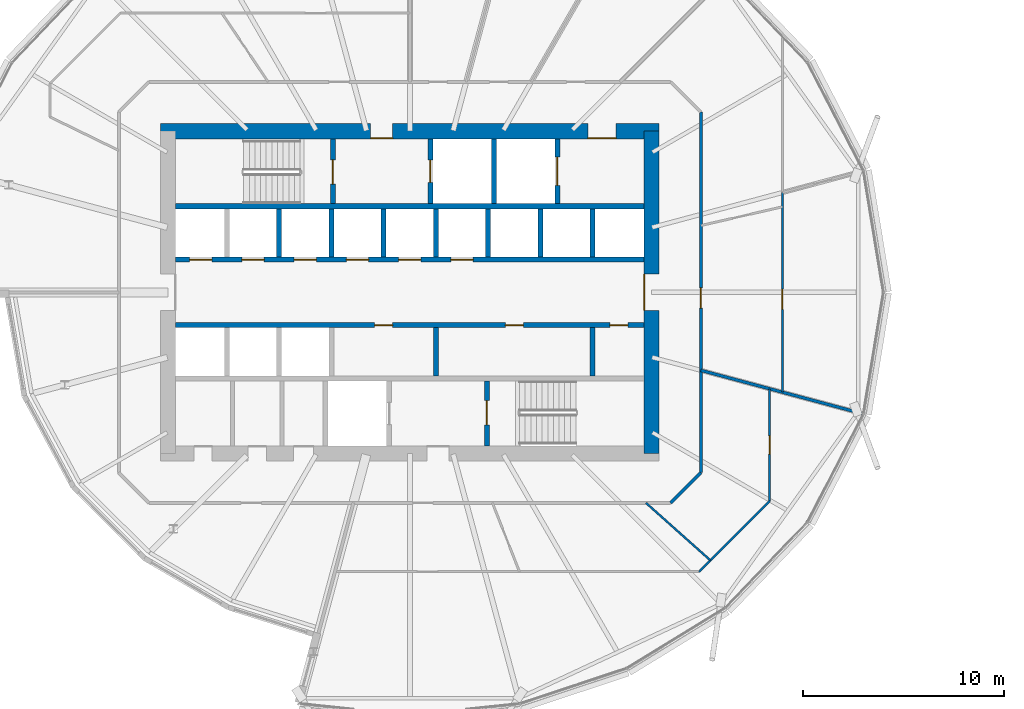
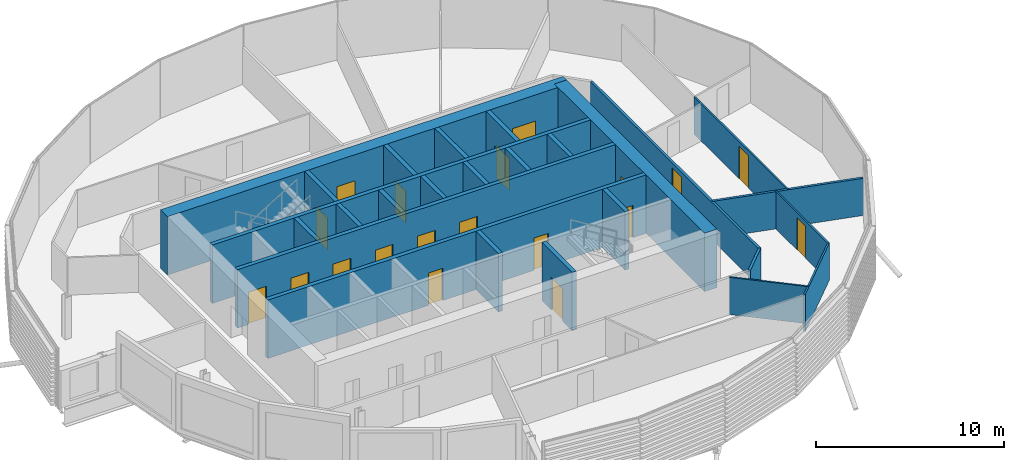
# One storey, part 21 of 39: 26 walls, 19 doors, 19 openings.
"""IFC4 building model written with IfcOpenShell, lengths in metres."""

from ifc_helpers import new_model, si_unit, direction, frame, frame_2d, origin, place, context, subcontext, project, spatial, rectangle, extrude, material, layer, layer_set, type_object, element, fill, save


model = new_model("IFC4")

# Units and contexts
model_context = context("Model", 3, precision=1e-05, world=origin(), true_north=direction((0.0, 1.0)))
body_context = subcontext(model_context, "Body", "Model", "MODEL_VIEW")
ifc_project = project(units=[si_unit("LENGTHUNIT", "METRE"), si_unit("AREAUNIT", "SQUARE_METRE"), si_unit("VOLUMEUNIT", "CUBIC_METRE"), si_unit("PLANEANGLEUNIT", "RADIAN"), si_unit("MASSUNIT", "GRAM", prefix="KILO")], contexts=[model_context])

# Site, building, storey
site_placement = place(None, origin())
site = spatial("IfcSite", under=ifc_project, at=site_placement, CompositionType="ELEMENT")
building_placement = place(site_placement, origin())
building = spatial("IfcBuilding", under=site, at=building_placement, Name="Rimbun Link Towers", CompositionType="ELEMENT")
storey_placement = place(building_placement, frame((0.0, 0.0, 100.60009765625)))
storey = spatial("IfcBuildingStorey", under=building, at=storey_placement, Name="L24", CompositionType="ELEMENT", Elevation=100.60009765625)

# Wall, openings, doors
ifc_material_1 = material(Name="Concrete C60/75", Category="concrete")
ifc_layer_1 = layer(ifc_material_1, 0.75)
ifc_layer_set_1 = layer_set([ifc_layer_1], Name="Core shear wall 750")
wall_type_1 = type_object("IfcWallType", Name="Core shear wall 750", PredefinedType="SHEAR", material=ifc_layer_set_1)
wall_1_placement = place(storey_placement, frame((-44.125, 8.0, 0.0), z_axis=(0.0, 0.0, 1.0), x_axis=(1.0, 0.0, 0.0)))
wall_1 = element("IfcWall", 1, at=wall_1_placement, inside=storey, type_object=wall_type_1, Name="L24 T1 core wall N", PredefinedType="SHEAR", context=body_context, shape_type="SweptSolid", body=[
    extrude(rectangle(XDim=24.75, YDim=0.75, at=frame_2d((12.375, 0.0))), origin(), (0.0, 0.0, 1.0), 3.7998046875),
])
opening_1_placement = place(wall_1_placement, frame((10.425048828125, 0.0, 0.0)))
opening_1 = element("IfcOpeningElement", 2, at=opening_1_placement, cuts=wall_1, Name="Opening C1DCF01N", PredefinedType="OPENING", context=body_context, shape_type="SweptSolid", body=[
    extrude(rectangle(XDim=1.10009765625, YDim=2.10009765625, at=frame_2d((0.550048828125, 1.050048828125))), frame((0.0, 0.385009765625, 0.0), z_axis=(0.0, -1.0, 0.0), x_axis=(1.0, 0.0, 0.0)), (0.0, 0.0, 1.0), 0.77001953125),
])
opening_2_placement = place(wall_1_placement, frame((21.21240234375, 0.0, 0.0)))
opening_2 = element("IfcOpeningElement", 3, at=opening_2_placement, cuts=wall_1, Name="Opening C1DSL02N", PredefinedType="OPENING", context=body_context, shape_type="SweptSolid", body=[
    extrude(rectangle(XDim=1.39990234375, YDim=2.10009765625, at=frame_2d((0.699951171875, 1.050048828125))), frame((0.0, 0.385009765625, 0.0), z_axis=(0.0, -1.0, 0.0), x_axis=(1.0, 0.0, 0.0)), (0.0, 0.0, 1.0), 0.77001953125),
])
ifc_material_2 = material(Name="Steel fire door set", Category="steel")
door_type_1 = type_object("IfcDoorType", Name="Core fire door single", OperationType="SINGLE_SWING_LEFT", PredefinedType="DOOR", material=ifc_material_2)
door_1_placement = place(opening_1_placement, origin())
door_1 = element("IfcDoor", 4, at=door_1_placement, inside=storey, type_object=door_type_1, Name="L24 T1 firefighting lobby n door", OperationType="SINGLE_SWING_LEFT", OverallHeight=2.10009765625, OverallWidth=1.10009765625, PredefinedType="DOOR", context=body_context, shape_type="SweptSolid", body=[
    extrude(rectangle(XDim=1.10009765625, YDim=2.10009765625, at=frame_2d((0.550048828125, 1.050048828125))), frame((0.0, -0.3251953125, 0.0), z_axis=(0.0, -1.0, 0.0), x_axis=(1.0, 0.0, 0.0)), (0.0, 0.0, 1.0), 0.050048828125),
])
fill(opening_1, door_1)
ifc_material_3 = material(Name="Steel fire door set", Category="steel")
door_type_2 = type_object("IfcDoorType", Name="Service lobby door double", OperationType="DOUBLE_DOOR_SINGLE_SWING", PredefinedType="DOOR", material=ifc_material_3)
door_2_placement = place(opening_2_placement, origin())
door_2 = element("IfcDoor", 5, at=door_2_placement, inside=storey, type_object=door_type_2, Name="L24 T1 service lobby door", OperationType="DOUBLE_DOOR_SINGLE_SWING", OverallHeight=2.10009765625, OverallWidth=1.39990234375, PredefinedType="DOOR", context=body_context, shape_type="SweptSolid", body=[
    extrude(rectangle(XDim=1.39990234375, YDim=2.10009765625, at=frame_2d((0.699951171875, 1.050048828125))), frame((0.0, -0.3251953125, 0.0), z_axis=(0.0, -1.0, 0.0), x_axis=(1.0, 0.0, 0.0)), (0.0, 0.0, 1.0), 0.050048828125),
])
fill(opening_2, door_2)

# Wall, opening, door
wall_2_placement = place(storey_placement, frame((-19.75, -8.0, 0.0), z_axis=(0.0, 0.0, 1.0), x_axis=(0.0, 1.0, 0.0)))
wall_2 = element("IfcWall", 6, at=wall_2_placement, inside=storey, type_object=wall_type_1, Name="L24 T1 core wall E", PredefinedType="SHEAR", context=body_context, shape_type="SweptSolid", body=[
    extrude(rectangle(XDim=16.0, YDim=0.75, at=frame_2d((8.0, 0.0))), origin(), (0.0, 0.0, 1.0), 3.7998046875),
])
opening_3_placement = place(wall_2_placement, frame((7.10009765625, 0.0, 0.0)))
opening_3 = element("IfcOpeningElement", 7, at=opening_3_placement, cuts=wall_2, Name="Opening C1DCL01E", PredefinedType="OPENING", context=body_context, shape_type="SweptSolid", body=[
    extrude(rectangle(XDim=1.800048828125, YDim=2.10009765625, at=frame_2d((0.89990234375, 1.050048828125))), frame((0.0, 0.385009765625, 0.0), z_axis=(0.0, -1.0, 0.0), x_axis=(1.0, 0.0, 0.0)), (0.0, 0.0, 1.0), 0.77001953125),
])
ifc_material_4 = material(Name="Steel fire door set", Category="steel")
door_type_3 = type_object("IfcDoorType", Name="Core lobby door double", OperationType="DOUBLE_DOOR_SINGLE_SWING", PredefinedType="DOOR", material=ifc_material_4)
door_3_placement = place(opening_3_placement, origin())
door_3 = element("IfcDoor", 8, at=door_3_placement, inside=storey, type_object=door_type_3, Name="L24 T1 lift lobby door", OperationType="DOUBLE_DOOR_SINGLE_SWING", OverallHeight=2.10009765625, OverallWidth=1.800048828125, PredefinedType="DOOR", context=body_context, shape_type="SweptSolid", body=[
    extrude(rectangle(XDim=1.800048828125, YDim=2.10009765625, at=frame_2d((0.89990234375, 1.050048828125))), frame((0.0, 0.375, 0.0), z_axis=(0.0, -1.0, 0.0), x_axis=(1.0, 0.0, 0.0)), (0.0, 0.0, 1.0), 0.050048828125),
])
fill(opening_3, door_3)

ifc_material_5 = material(Name="Plasterboard on steel stud, mineral wool", Category="steel")
ifc_layer_2 = layer(ifc_material_5, 0.14990234375)
ifc_layer_set_2 = layer_set([ifc_layer_2], Name="Corridor wall EI 30 150 mm")
wall_type_2 = type_object("IfcWallType", Name="Corridor wall EI 30 150 mm", PredefinedType="PARTITIONING", material=ifc_layer_set_2)
wall_3_placement = place(storey_placement, frame((-17.300048828125, 8.95166015625, 0.0), z_axis=(0.0, 0.0, 1.0), x_axis=(0.0, -1.0, 0.0)))
wall_3 = element("IfcWall", 9, at=wall_3_placement, inside=storey, type_object=wall_type_2, Name="Corridor wall EI 30 150 mm", PredefinedType="PARTITIONING", context=body_context, shape_type="SweptSolid", body=[
    extrude(rectangle(XDim=17.9033203125, YDim=0.14990234375, at=frame_2d((8.95166015625, 0.0))), origin(), (0.0, 0.0, 1.0), 2.419921875),
])
opening_4_placement = place(wall_3_placement, frame((8.72900390625, 0.0, 0.0)))
opening_4 = element("IfcOpeningElement", 10, at=opening_4_placement, cuts=wall_3, Name="Opening D01", PredefinedType="OPENING", context=body_context, shape_type="SweptSolid", body=[
    extrude(rectangle(XDim=1.0, YDim=2.10009765625, at=frame_2d((0.5, 1.050048828125))), frame((0.0, 0.0849609375, 0.0), z_axis=(0.0, -1.0, 0.0), x_axis=(1.0, 0.0, 0.0)), (0.0, 0.0, 1.0), 0.169921875),
])
ifc_material_6 = material(Name="Fire-resisting timber door leaf", Category="wood")
door_type_4 = type_object("IfcDoorType", Name="Fire door FD30S 1000", OperationType="NOTDEFINED", PredefinedType="DOOR", material=ifc_material_6)
door_4_placement = place(opening_4_placement, origin())
door_4 = element("IfcDoor", 11, at=door_4_placement, inside=storey, type_object=door_type_4, Name="Fire door FD30S 1000 to Reception", OperationType="SINGLE_SWING_RIGHT", OverallHeight=2.10009765625, OverallWidth=1.0, PredefinedType="DOOR", context=body_context, shape_type="SweptSolid", body=[
    extrude(rectangle(XDim=1.0, YDim=2.10009765625, at=frame_2d((0.5, 1.050048828125))), frame((0.0, 0.02490234375, 0.0), z_axis=(0.0, -1.0, 0.0), x_axis=(1.0, 0.0, 0.0)), (0.0, 0.0, 1.0), 0.050048828125),
])
fill(opening_4, door_4)

# Walls
wall_4_placement = place(storey_placement, frame((-18.79833984375, -10.449951171875, 0.0), z_axis=(0.0, 0.0, 1.0), x_axis=(0.707106781187, 0.707106781187, 0.0)))
element("IfcWall", 12, at=wall_4_placement, inside=storey, type_object=wall_type_2, Name="Corridor wall EI 30 150 mm", PredefinedType="PARTITIONING", context=body_context, shape_type="SweptSolid", body=[
    extrude(rectangle(XDim=2.118896484375, YDim=0.14990234375, at=frame_2d((1.0595703125, 0.0))), origin(), (0.0, 0.0, 1.0), 2.419921875),
])
ifc_material_7 = material(Name="Plasterboard on steel stud", Category="steel")
ifc_layer_3 = layer(ifc_material_7, 0.10009765625)
ifc_layer_set_3 = layer_set([ifc_layer_3], Name="Plasterboard partition 100 mm")
wall_type_3 = type_object("IfcWallType", Name="Plasterboard partition 100 mm", PredefinedType="PARTITIONING", material=ifc_layer_set_3)
wall_5_placement = place(storey_placement, frame((-16.8212890625, -13.3095703125, 0.0), z_axis=(0.0, 0.0, 1.0), x_axis=(-0.746427378028, 0.665466880716, 0.0)))
element("IfcWall", 13, at=wall_5_placement, inside=storey, type_object=wall_type_3, Name="Plasterboard partition 100 mm", PredefinedType="PARTITIONING", context=body_context, shape_type="SweptSolid", body=[
    extrude(rectangle(XDim=4.297119140625, YDim=0.10009765625, at=frame_2d((2.1484375, 0.0))), origin(), (0.0, 0.0, 1.0), 2.419921875),
])
wall_6_placement = place(storey_placement, frame((-17.381591796875, -13.8701171875, 0.0), z_axis=(0.0, 0.0, 1.0), x_axis=(0.707008174748, 0.707205373876, 0.0)))
element("IfcWall", 14, at=wall_6_placement, inside=storey, type_object=wall_type_3, Name="Plasterboard partition 100 mm", PredefinedType="PARTITIONING", context=body_context, shape_type="SweptSolid", body=[
    extrude(rectangle(XDim=4.9521484375, YDim=0.10009765625, at=frame_2d((2.47607421875, 0.0))), origin(), (0.0, 0.0, 1.0), 2.419921875),
])

# Wall, opening, door
wall_7_placement = place(storey_placement, frame((-13.8798828125, -10.368408203125, 0.0), z_axis=(0.0, 0.0, 1.0), x_axis=(0.0, 1.0, 0.0)))
wall_7 = element("IfcWall", 15, at=wall_7_placement, inside=storey, type_object=wall_type_3, Name="Plasterboard partition 100 mm", PredefinedType="PARTITIONING", context=body_context, shape_type="SweptSolid", body=[
    extrude(rectangle(XDim=5.580322265625, YDim=0.10009765625, at=frame_2d((2.7900390625, 0.0))), origin(), (0.0, 0.0, 1.0), 2.419921875),
])
opening_5_placement = place(wall_7_placement, frame((2.340087890625, 0.0, 0.0)))
opening_5 = element("IfcOpeningElement", 16, at=opening_5_placement, cuts=wall_7, Name="Opening D04", PredefinedType="OPENING", context=body_context, shape_type="SweptSolid", body=[
    extrude(rectangle(XDim=0.89990234375, YDim=2.10009765625, at=frame_2d((0.449951171875, 1.050048828125))), frame((0.0, 0.06005859375, 0.0), z_axis=(0.0, -1.0, 0.0), x_axis=(1.0, 0.0, 0.0)), (0.0, 0.0, 1.0), 0.1201171875),
])
ifc_material_8 = material(Name="Timber door leaf", Category="wood")
door_type_5 = type_object("IfcDoorType", Name="Flush door 900", OperationType="NOTDEFINED", PredefinedType="DOOR", material=ifc_material_8)
door_5_placement = place(opening_5_placement, origin())
door_5 = element("IfcDoor", 17, at=door_5_placement, inside=storey, type_object=door_type_5, Name="Flush door 900 to Print room", OperationType="SINGLE_SWING_LEFT", OverallHeight=2.10009765625, OverallWidth=0.89990234375, PredefinedType="DOOR", context=body_context, shape_type="SweptSolid", body=[
    extrude(rectangle(XDim=0.89990234375, YDim=2.10009765625, at=frame_2d((0.449951171875, 1.050048828125))), frame((0.0, 0.02490234375, 0.0), z_axis=(0.0, -1.0, 0.0), x_axis=(1.0, 0.0, 0.0)), (0.0, 0.0, 1.0), 0.050048828125),
])
fill(opening_5, door_5)

wall_8_placement = place(storey_placement, frame((-13.25, 4.95703125, 0.0), z_axis=(0.0, 0.0, 1.0), x_axis=(0.0, -1.0, 0.0)))
wall_8 = element("IfcWall", 18, at=wall_8_placement, inside=storey, type_object=wall_type_3, Name="Plasterboard partition 100 mm", PredefinedType="PARTITIONING", context=body_context, shape_type="SweptSolid", body=[
    extrude(rectangle(XDim=9.9140625, YDim=0.10009765625, at=frame_2d((4.95703125, 0.0))), origin(), (0.0, 0.0, 1.0), 2.419921875),
])
opening_6_placement = place(wall_8_placement, frame((4.797119140625, 0.0, 0.0)))
opening_6 = element("IfcOpeningElement", 19, at=opening_6_placement, cuts=wall_8, Name="Opening D03", PredefinedType="OPENING", context=body_context, shape_type="SweptSolid", body=[
    extrude(rectangle(XDim=1.0, YDim=2.10009765625, at=frame_2d((0.5, 1.050048828125))), frame((0.0, 0.06005859375, 0.0), z_axis=(0.0, -1.0, 0.0), x_axis=(1.0, 0.0, 0.0)), (0.0, 0.0, 1.0), 0.1201171875),
])
ifc_material_9 = material(Name="Timber door leaf", Category="wood")
door_type_6 = type_object("IfcDoorType", Name="Flush door 1000", OperationType="NOTDEFINED", PredefinedType="DOOR", material=ifc_material_9)
door_6_placement = place(opening_6_placement, origin())
door_6 = element("IfcDoor", 20, at=door_6_placement, inside=storey, type_object=door_type_6, Name="Flush door 1000 to Boardroom", OperationType="SINGLE_SWING_LEFT", OverallHeight=2.10009765625, OverallWidth=1.0, PredefinedType="DOOR", context=body_context, shape_type="SweptSolid", body=[
    extrude(rectangle(XDim=1.0, YDim=2.10009765625, at=frame_2d((0.5, 1.050048828125))), frame((0.0, 0.02490234375, 0.0), z_axis=(0.0, -1.0, 0.0), x_axis=(1.0, 0.0, 0.0)), (0.0, 0.0, 1.0), 0.050048828125),
])
fill(opening_6, door_6)

# Wall
ifc_material_10 = material(Name="Concrete C60/75", Category="concrete")
ifc_layer_4 = layer(ifc_material_10, 0.25)
ifc_layer_set_4 = layer_set([ifc_layer_4], Name="Shaft wall 250")
wall_type_4 = type_object("IfcWallType", Name="Shaft wall 250", PredefinedType="SHEAR", material=ifc_layer_set_4)
wall_9_placement = place(storey_placement, frame((-43.375, 4.27490234375, 0.0), z_axis=(0.0, 0.0, 1.0), x_axis=(1.0, 0.0, 0.0)))
element("IfcWall", 21, at=wall_9_placement, inside=storey, type_object=wall_type_4, Name="L24 T1 core wall BN", PredefinedType="SHEAR", context=body_context, shape_type="SweptSolid", body=[
    extrude(rectangle(XDim=23.25, YDim=0.25, at=frame_2d((11.625, 0.0))), origin(), (0.0, 0.0, 1.0), 3.7998046875),
])

# Wall, openings, doors
wall_10_placement = place(storey_placement, frame((-43.375, 1.625, 0.0), z_axis=(0.0, 0.0, 1.0), x_axis=(1.0, 0.0, 0.0)))
wall_10 = element("IfcWall", 22, at=wall_10_placement, inside=storey, type_object=wall_type_4, Name="L24 T1 core wall FN", PredefinedType="SHEAR", context=body_context, shape_type="SweptSolid", body=[
    extrude(rectangle(XDim=23.25, YDim=0.25, at=frame_2d((11.625, 0.0))), origin(), (0.0, 0.0, 1.0), 3.7998046875),
])
opening_7_placement = place(wall_10_placement, frame((0.697265625, 0.0, 0.0)))
opening_7 = element("IfcOpeningElement", 23, at=opening_7_placement, cuts=wall_10, Name="Opening LD-T1-LR1", PredefinedType="OPENING", context=body_context, shape_type="SweptSolid", body=[
    extrude(rectangle(XDim=1.10009765625, YDim=2.10009765625, at=frame_2d((0.550048828125, 1.050048828125))), frame((0.0, 0.135009765625, 0.0), z_axis=(0.0, -1.0, 0.0), x_axis=(1.0, 0.0, 0.0)), (0.0, 0.0, 1.0), 0.27001953125),
])
opening_8_placement = place(wall_10_placement, frame((3.291748046875, 0.0, 0.0)))
opening_8 = element("IfcOpeningElement", 24, at=opening_8_placement, cuts=wall_10, Name="Opening LD-T1-LR2", PredefinedType="OPENING", context=body_context, shape_type="SweptSolid", body=[
    extrude(rectangle(XDim=1.10009765625, YDim=2.10009765625, at=frame_2d((0.550048828125, 1.050048828125))), frame((0.0, 0.135009765625, 0.0), z_axis=(0.0, -1.0, 0.0), x_axis=(1.0, 0.0, 0.0)), (0.0, 0.0, 1.0), 0.27001953125),
])
opening_9_placement = place(wall_10_placement, frame((5.885986328125, 0.0, 0.0)))
opening_9 = element("IfcOpeningElement", 25, at=opening_9_placement, cuts=wall_10, Name="Opening LD-T1-LR3", PredefinedType="OPENING", context=body_context, shape_type="SweptSolid", body=[
    extrude(rectangle(XDim=1.10009765625, YDim=2.10009765625, at=frame_2d((0.550048828125, 1.050048828125))), frame((0.0, 0.135009765625, 0.0), z_axis=(0.0, -1.0, 0.0), x_axis=(1.0, 0.0, 0.0)), (0.0, 0.0, 1.0), 0.27001953125),
])
opening_10_placement = place(wall_10_placement, frame((8.480712890625, 0.0, 0.0)))
opening_10 = element("IfcOpeningElement", 26, at=opening_10_placement, cuts=wall_10, Name="Opening LD-T1-LR4", PredefinedType="OPENING", context=body_context, shape_type="SweptSolid", body=[
    extrude(rectangle(XDim=1.10009765625, YDim=2.10009765625, at=frame_2d((0.550048828125, 1.050048828125))), frame((0.0, 0.135009765625, 0.0), z_axis=(0.0, -1.0, 0.0), x_axis=(1.0, 0.0, 0.0)), (0.0, 0.0, 1.0), 0.27001953125),
])
opening_11_placement = place(wall_10_placement, frame((11.074951171875, 0.0, 0.0)))
opening_11 = element("IfcOpeningElement", 27, at=opening_11_placement, cuts=wall_10, Name="Opening LD-T1-LR5", PredefinedType="OPENING", context=body_context, shape_type="SweptSolid", body=[
    extrude(rectangle(XDim=1.10009765625, YDim=2.10009765625, at=frame_2d((0.550048828125, 1.050048828125))), frame((0.0, 0.135009765625, 0.0), z_axis=(0.0, -1.0, 0.0), x_axis=(1.0, 0.0, 0.0)), (0.0, 0.0, 1.0), 0.27001953125),
])
opening_12_placement = place(wall_10_placement, frame((13.66943359375, 0.0, 0.0)))
opening_12 = element("IfcOpeningElement", 28, at=opening_12_placement, cuts=wall_10, Name="Opening LD-T1-LR6", PredefinedType="OPENING", context=body_context, shape_type="SweptSolid", body=[
    extrude(rectangle(XDim=1.10009765625, YDim=2.10009765625, at=frame_2d((0.550048828125, 1.050048828125))), frame((0.0, 0.135009765625, 0.0), z_axis=(0.0, -1.0, 0.0), x_axis=(1.0, 0.0, 0.0)), (0.0, 0.0, 1.0), 0.27001953125),
])
ifc_material_11 = material(Name="Stainless steel grade 316", Category="steel")
door_type_7 = type_object("IfcDoorType", Name="Lift landing door", OperationType="DOUBLE_DOOR_SLIDING", PredefinedType="DOOR", material=ifc_material_11)
door_7_placement = place(opening_7_placement, origin())
door_7 = element("IfcDoor", 29, at=door_7_placement, inside=storey, type_object=door_type_7, Name="L24 T1 lift LR1 landing door", OperationType="DOUBLE_DOOR_SLIDING", OverallHeight=2.10009765625, OverallWidth=1.10009765625, PredefinedType="DOOR", context=body_context, shape_type="SweptSolid", body=[
    extrude(rectangle(XDim=1.10009765625, YDim=2.10009765625, at=frame_2d((0.550048828125, 1.050048828125))), frame((0.0, 0.02490234375, 0.0), z_axis=(0.0, -1.0, 0.0), x_axis=(1.0, 0.0, 0.0)), (0.0, 0.0, 1.0), 0.050048828125),
])
fill(opening_7, door_7)
door_8_placement = place(opening_8_placement, origin())
door_8 = element("IfcDoor", 30, at=door_8_placement, inside=storey, type_object=door_type_7, Name="L24 T1 lift LR2 landing door", OperationType="DOUBLE_DOOR_SLIDING", OverallHeight=2.10009765625, OverallWidth=1.10009765625, PredefinedType="DOOR", context=body_context, shape_type="SweptSolid", body=[
    extrude(rectangle(XDim=1.10009765625, YDim=2.10009765625, at=frame_2d((0.550048828125, 1.050048828125))), frame((0.0, 0.02490234375, 0.0), z_axis=(0.0, -1.0, 0.0), x_axis=(1.0, 0.0, 0.0)), (0.0, 0.0, 1.0), 0.050048828125),
])
fill(opening_8, door_8)
door_9_placement = place(opening_9_placement, origin())
door_9 = element("IfcDoor", 31, at=door_9_placement, inside=storey, type_object=door_type_7, Name="L24 T1 lift LR3 landing door", OperationType="DOUBLE_DOOR_SLIDING", OverallHeight=2.10009765625, OverallWidth=1.10009765625, PredefinedType="DOOR", context=body_context, shape_type="SweptSolid", body=[
    extrude(rectangle(XDim=1.10009765625, YDim=2.10009765625, at=frame_2d((0.550048828125, 1.050048828125))), frame((0.0, 0.02490234375, 0.0), z_axis=(0.0, -1.0, 0.0), x_axis=(1.0, 0.0, 0.0)), (0.0, 0.0, 1.0), 0.050048828125),
])
fill(opening_9, door_9)
door_10_placement = place(opening_10_placement, origin())
door_10 = element("IfcDoor", 32, at=door_10_placement, inside=storey, type_object=door_type_7, Name="L24 T1 lift LR4 landing door", OperationType="DOUBLE_DOOR_SLIDING", OverallHeight=2.10009765625, OverallWidth=1.10009765625, PredefinedType="DOOR", context=body_context, shape_type="SweptSolid", body=[
    extrude(rectangle(XDim=1.10009765625, YDim=2.10009765625, at=frame_2d((0.550048828125, 1.050048828125))), frame((0.0, 0.02490234375, 0.0), z_axis=(0.0, -1.0, 0.0), x_axis=(1.0, 0.0, 0.0)), (0.0, 0.0, 1.0), 0.050048828125),
])
fill(opening_10, door_10)
door_11_placement = place(opening_11_placement, origin())
door_11 = element("IfcDoor", 33, at=door_11_placement, inside=storey, type_object=door_type_7, Name="L24 T1 lift LR5 landing door", OperationType="DOUBLE_DOOR_SLIDING", OverallHeight=2.10009765625, OverallWidth=1.10009765625, PredefinedType="DOOR", context=body_context, shape_type="SweptSolid", body=[
    extrude(rectangle(XDim=1.10009765625, YDim=2.10009765625, at=frame_2d((0.550048828125, 1.050048828125))), frame((0.0, 0.02490234375, 0.0), z_axis=(0.0, -1.0, 0.0), x_axis=(1.0, 0.0, 0.0)), (0.0, 0.0, 1.0), 0.050048828125),
])
fill(opening_11, door_11)
door_12_placement = place(opening_12_placement, origin())
door_12 = element("IfcDoor", 34, at=door_12_placement, inside=storey, type_object=door_type_7, Name="L24 T1 lift LR6 landing door", OperationType="DOUBLE_DOOR_SLIDING", OverallHeight=2.10009765625, OverallWidth=1.10009765625, PredefinedType="DOOR", context=body_context, shape_type="SweptSolid", body=[
    extrude(rectangle(XDim=1.10009765625, YDim=2.10009765625, at=frame_2d((0.550048828125, 1.050048828125))), frame((0.0, 0.02490234375, 0.0), z_axis=(0.0, -1.0, 0.0), x_axis=(1.0, 0.0, 0.0)), (0.0, 0.0, 1.0), 0.050048828125),
])
fill(opening_12, door_12)

wall_11_placement = place(storey_placement, frame((-43.375, -1.625, 0.0), z_axis=(0.0, 0.0, 1.0), x_axis=(1.0, 0.0, 0.0)))
wall_11 = element("IfcWall", 35, at=wall_11_placement, inside=storey, type_object=wall_type_4, Name="L24 T1 core wall FS", PredefinedType="SHEAR", context=body_context, shape_type="SweptSolid", body=[
    extrude(rectangle(XDim=23.25, YDim=0.25, at=frame_2d((11.625, 0.0))), origin(), (0.0, 0.0, 1.0), 3.7998046875),
])
opening_13_placement = place(wall_11_placement, frame((9.877685546875, 0.0, 0.0)))
opening_13 = element("IfcOpeningElement", 36, at=opening_13_placement, cuts=wall_11, Name="Opening C1DRS01FS", PredefinedType="OPENING", context=body_context, shape_type="SweptSolid", body=[
    extrude(rectangle(XDim=0.89990234375, YDim=2.10009765625, at=frame_2d((0.449951171875, 1.050048828125))), frame((0.0, 0.135009765625, 0.0), z_axis=(0.0, -1.0, 0.0), x_axis=(1.0, 0.0, 0.0)), (0.0, 0.0, 1.0), 0.27001953125),
])
opening_14_placement = place(wall_11_placement, frame((16.364013671875, 0.0, 0.0)))
opening_14 = element("IfcOpeningElement", 37, at=opening_14_placement, cuts=wall_11, Name="Opening C1DRS02FS", PredefinedType="OPENING", context=body_context, shape_type="SweptSolid", body=[
    extrude(rectangle(XDim=0.89990234375, YDim=2.10009765625, at=frame_2d((0.449951171875, 1.050048828125))), frame((0.0, 0.135009765625, 0.0), z_axis=(0.0, -1.0, 0.0), x_axis=(1.0, 0.0, 0.0)), (0.0, 0.0, 1.0), 0.27001953125),
])
opening_15_placement = place(wall_11_placement, frame((21.552734375, 0.0, 0.0)))
opening_15 = element("IfcOpeningElement", 38, at=opening_15_placement, cuts=wall_11, Name="Opening C1DRS03FS", PredefinedType="OPENING", context=body_context, shape_type="SweptSolid", body=[
    extrude(rectangle(XDim=0.89990234375, YDim=2.10009765625, at=frame_2d((0.449951171875, 1.050048828125))), frame((0.0, 0.135009765625, 0.0), z_axis=(0.0, -1.0, 0.0), x_axis=(1.0, 0.0, 0.0)), (0.0, 0.0, 1.0), 0.27001953125),
])
ifc_material_12 = material(Name="Steel fire door set", Category="steel")
door_type_8 = type_object("IfcDoorType", Name="Core riser door", OperationType="SINGLE_SWING_LEFT", PredefinedType="DOOR", material=ifc_material_12)
door_13_placement = place(opening_13_placement, origin())
door_13 = element("IfcDoor", 39, at=door_13_placement, inside=storey, type_object=door_type_8, Name="L24 T1 pantry door", OperationType="SINGLE_SWING_LEFT", OverallHeight=2.10009765625, OverallWidth=0.89990234375, PredefinedType="DOOR", context=body_context, shape_type="SweptSolid", body=[
    extrude(rectangle(XDim=0.89990234375, YDim=2.10009765625, at=frame_2d((0.449951171875, 1.050048828125))), frame((0.0, 0.02490234375, 0.0), z_axis=(0.0, -1.0, 0.0), x_axis=(1.0, 0.0, 0.0)), (0.0, 0.0, 1.0), 0.050048828125),
])
fill(opening_13, door_13)
door_14_placement = place(opening_14_placement, origin())
door_14 = element("IfcDoor", 40, at=door_14_placement, inside=storey, type_object=door_type_8, Name="L24 T1 wellness room door", OperationType="SINGLE_SWING_LEFT", OverallHeight=2.10009765625, OverallWidth=0.89990234375, PredefinedType="DOOR", context=body_context, shape_type="SweptSolid", body=[
    extrude(rectangle(XDim=0.89990234375, YDim=2.10009765625, at=frame_2d((0.449951171875, 1.050048828125))), frame((0.0, 0.02490234375, 0.0), z_axis=(0.0, -1.0, 0.0), x_axis=(1.0, 0.0, 0.0)), (0.0, 0.0, 1.0), 0.050048828125),
])
fill(opening_14, door_14)
door_15_placement = place(opening_15_placement, origin())
door_15 = element("IfcDoor", 41, at=door_15_placement, inside=storey, type_object=door_type_8, Name="L24 T1 staff store door", OperationType="SINGLE_SWING_LEFT", OverallHeight=2.10009765625, OverallWidth=0.89990234375, PredefinedType="DOOR", context=body_context, shape_type="SweptSolid", body=[
    extrude(rectangle(XDim=0.89990234375, YDim=2.10009765625, at=frame_2d((0.449951171875, 1.050048828125))), frame((0.0, 0.02490234375, 0.0), z_axis=(0.0, -1.0, 0.0), x_axis=(1.0, 0.0, 0.0)), (0.0, 0.0, 1.0), 0.050048828125),
])
fill(opening_15, door_15)

# Walls
for number, where, z_axis, x_axis, name in (
    (42, (-38.236083984375, 1.75, 0.0), (0.0, 0.0, 1.0), (0.0, 1.0, 0.0), "L24 T1 core wall DN1"),
    (43, (-35.6416015625, 1.75, 0.0), (0.0, 0.0, 1.0), (0.0, 1.0, 0.0), "L24 T1 core wall DN2"),
    (44, (-33.047119140625, 1.75, 0.0), (0.0, 0.0, 1.0), (0.0, 1.0, 0.0), "L24 T1 core wall DN3"),
    (45, (-30.452880859375, 1.75, 0.0), (0.0, 0.0, 1.0), (0.0, 1.0, 0.0), "L24 T1 core wall DN4"),
    (46, (-27.8583984375, 1.75, 0.0), (0.0, 0.0, 1.0), (0.0, 1.0, 0.0), "L24 T1 core wall DN5"),
    (47, (-25.263916015625, 1.75, 0.0), (0.0, 0.0, 1.0), (0.0, 1.0, 0.0), "L24 T1 core wall DN6"),
    (48, (-22.66943359375, 1.75, 0.0), (0.0, 0.0, 1.0), (0.0, 1.0, 0.0), "L24 T1 core wall DN7"),
    (49, (-30.452880859375, -4.14990234375, 0.0), (0.0, 0.0, 1.0), (0.0, 1.0, 0.0), "L24 T1 core wall DS4"),
    (50, (-22.66943359375, -4.14990234375, 0.0), (0.0, 0.0, 1.0), (0.0, 1.0, 0.0), "L24 T1 core wall DS7"),
):
    element("IfcWall", number, at=place(storey_placement, frame(where, z_axis=z_axis, x_axis=x_axis)), inside=storey, type_object=wall_type_4, Name=name, PredefinedType="SHEAR", context=body_context, shape_type="SweptSolid", body=[
        extrude(rectangle(XDim=2.39990234375, YDim=0.25, at=frame_2d((1.199951171875, 0.0))), origin(), (0.0, 0.0, 1.0), 3.7998046875),
    ])

# Wall, opening, door
wall_12_placement = place(storey_placement, frame((-35.574951171875, 4.39990234375, 0.0), z_axis=(0.0, 0.0, 1.0), x_axis=(0.0, 1.0, 0.0)))
wall_12 = element("IfcWall", 51, at=wall_12_placement, inside=storey, type_object=wall_type_4, Name="L24 T1 core wall A1", PredefinedType="SHEAR", context=body_context, shape_type="SweptSolid", body=[
    extrude(rectangle(XDim=3.22509765625, YDim=0.25, at=frame_2d((1.612548828125, 0.0))), origin(), (0.0, 0.0, 1.0), 3.7998046875),
])
opening_16_placement = place(wall_12_placement, frame((0.97509765625, 0.0, 0.0)))
opening_16 = element("IfcOpeningElement", 52, at=opening_16_placement, cuts=wall_12, Name="Opening C1DST01A1", PredefinedType="OPENING", context=body_context, shape_type="SweptSolid", body=[
    extrude(rectangle(XDim=1.199951171875, YDim=2.10009765625, at=frame_2d((0.60009765625, 1.050048828125))), frame((0.0, 0.135009765625, 0.0), z_axis=(0.0, -1.0, 0.0), x_axis=(1.0, 0.0, 0.0)), (0.0, 0.0, 1.0), 0.27001953125),
])
ifc_material_13 = material(Name="Steel fire door set", Category="steel")
door_type_9 = type_object("IfcDoorType", Name="Stair door", OperationType="SINGLE_SWING_LEFT", PredefinedType="DOOR", material=ifc_material_13)
door_16_placement = place(opening_16_placement, origin())
door_16 = element("IfcDoor", 53, at=door_16_placement, inside=storey, type_object=door_type_9, Name="L24 T1 stair a door", OperationType="SINGLE_SWING_LEFT", OverallHeight=2.10009765625, OverallWidth=1.199951171875, PredefinedType="DOOR", context=body_context, shape_type="SweptSolid", body=[
    extrude(rectangle(XDim=1.199951171875, YDim=2.10009765625, at=frame_2d((0.60009765625, 1.050048828125))), frame((0.0, 0.02490234375, 0.0), z_axis=(0.0, -1.0, 0.0), x_axis=(1.0, 0.0, 0.0)), (0.0, 0.0, 1.0), 0.050048828125),
])
fill(opening_16, door_16)

wall_13_placement = place(storey_placement, frame((-30.72509765625, 4.39990234375, 0.0), z_axis=(0.0, 0.0, 1.0), x_axis=(0.0, 1.0, 0.0)))
wall_13 = element("IfcWall", 54, at=wall_13_placement, inside=storey, type_object=wall_type_4, Name="L24 T1 core wall A2", PredefinedType="SHEAR", context=body_context, shape_type="SweptSolid", body=[
    extrude(rectangle(XDim=3.22509765625, YDim=0.25, at=frame_2d((1.612548828125, 0.0))), origin(), (0.0, 0.0, 1.0), 3.7998046875),
])
opening_17_placement = place(wall_13_placement, frame((1.0625, 0.0, 0.0)))
opening_17 = element("IfcOpeningElement", 55, at=opening_17_placement, cuts=wall_13, Name="Opening LD-T1-FF1", PredefinedType="OPENING", context=body_context, shape_type="SweptSolid", body=[
    extrude(rectangle(XDim=1.10009765625, YDim=2.10009765625, at=frame_2d((0.550048828125, 1.050048828125))), frame((0.0, 0.135009765625, 0.0), z_axis=(0.0, -1.0, 0.0), x_axis=(1.0, 0.0, 0.0)), (0.0, 0.0, 1.0), 0.27001953125),
])
door_17_placement = place(opening_17_placement, origin())
door_17 = element("IfcDoor", 56, at=door_17_placement, inside=storey, type_object=door_type_7, Name="L24 T1 lift FF1 landing door", OperationType="DOUBLE_DOOR_SLIDING", OverallHeight=2.10009765625, OverallWidth=1.10009765625, PredefinedType="DOOR", context=body_context, shape_type="SweptSolid", body=[
    extrude(rectangle(XDim=1.10009765625, YDim=2.10009765625, at=frame_2d((0.550048828125, 1.050048828125))), frame((0.0, 0.02490234375, 0.0), z_axis=(0.0, -1.0, 0.0), x_axis=(1.0, 0.0, 0.0)), (0.0, 0.0, 1.0), 0.050048828125),
])
fill(opening_17, door_17)

# Wall
wall_14_placement = place(storey_placement, frame((-27.574951171875, 4.39990234375, 0.0), z_axis=(0.0, 0.0, 1.0), x_axis=(0.0, 1.0, 0.0)))
element("IfcWall", 57, at=wall_14_placement, inside=storey, type_object=wall_type_4, Name="L24 T1 core wall A3", PredefinedType="SHEAR", context=body_context, shape_type="SweptSolid", body=[
    extrude(rectangle(XDim=3.22509765625, YDim=0.25, at=frame_2d((1.612548828125, 0.0))), origin(), (0.0, 0.0, 1.0), 3.7998046875),
])

# Wall, opening, door
wall_15_placement = place(storey_placement, frame((-24.425048828125, 4.39990234375, 0.0), z_axis=(0.0, 0.0, 1.0), x_axis=(0.0, 1.0, 0.0)))
wall_15 = element("IfcWall", 58, at=wall_15_placement, inside=storey, type_object=wall_type_4, Name="L24 T1 core wall A4", PredefinedType="SHEAR", context=body_context, shape_type="SweptSolid", body=[
    extrude(rectangle(XDim=3.22509765625, YDim=0.25, at=frame_2d((1.612548828125, 0.0))), origin(), (0.0, 0.0, 1.0), 3.7998046875),
])
opening_18_placement = place(wall_15_placement, frame((0.91259765625, 0.0, 0.0)))
opening_18 = element("IfcOpeningElement", 59, at=opening_18_placement, cuts=wall_15, Name="Opening LD-T1-GL1", PredefinedType="OPENING", context=body_context, shape_type="SweptSolid", body=[
    extrude(rectangle(XDim=1.39990234375, YDim=2.10009765625, at=frame_2d((0.699951171875, 1.050048828125))), frame((0.0, 0.135009765625, 0.0), z_axis=(0.0, -1.0, 0.0), x_axis=(1.0, 0.0, 0.0)), (0.0, 0.0, 1.0), 0.27001953125),
])
ifc_material_14 = material(Name="Stainless steel grade 316", Category="steel")
door_type_10 = type_object("IfcDoorType", Name="Goods lift landing door", OperationType="DOUBLE_DOOR_SLIDING", PredefinedType="DOOR", material=ifc_material_14)
door_18_placement = place(opening_18_placement, origin())
door_18 = element("IfcDoor", 60, at=door_18_placement, inside=storey, type_object=door_type_10, Name="L24 T1 lift GL1 landing door", OperationType="DOUBLE_DOOR_SLIDING", OverallHeight=2.10009765625, OverallWidth=1.39990234375, PredefinedType="DOOR", context=body_context, shape_type="SweptSolid", body=[
    extrude(rectangle(XDim=1.39990234375, YDim=2.10009765625, at=frame_2d((0.699951171875, 1.050048828125))), frame((0.0, 0.02490234375, 0.0), z_axis=(0.0, -1.0, 0.0), x_axis=(1.0, 0.0, 0.0)), (0.0, 0.0, 1.0), 0.050048828125),
])
fill(opening_18, door_18)

wall_16_placement = place(storey_placement, frame((-27.925048828125, -4.39990234375, 0.0), z_axis=(0.0, 0.0, 1.0), x_axis=(0.0, -1.0, 0.0)))
wall_16 = element("IfcWall", 61, at=wall_16_placement, inside=storey, type_object=wall_type_4, Name="L24 T1 core wall B1", PredefinedType="SHEAR", context=body_context, shape_type="SweptSolid", body=[
    extrude(rectangle(XDim=3.22509765625, YDim=0.25, at=frame_2d((1.612548828125, 0.0))), origin(), (0.0, 0.0, 1.0), 3.7998046875),
])
opening_19_placement = place(wall_16_placement, frame((0.97509765625, 0.0, 0.0)))
opening_19 = element("IfcOpeningElement", 62, at=opening_19_placement, cuts=wall_16, Name="Opening C1DST01B1", PredefinedType="OPENING", context=body_context, shape_type="SweptSolid", body=[
    extrude(rectangle(XDim=1.199951171875, YDim=2.10009765625, at=frame_2d((0.60009765625, 1.050048828125))), frame((0.0, 0.135009765625, 0.0), z_axis=(0.0, -1.0, 0.0), x_axis=(1.0, 0.0, 0.0)), (0.0, 0.0, 1.0), 0.27001953125),
])
door_19_placement = place(opening_19_placement, origin())
door_19 = element("IfcDoor", 63, at=door_19_placement, inside=storey, type_object=door_type_9, Name="L24 T1 stair b door", OperationType="SINGLE_SWING_RIGHT", OverallHeight=2.10009765625, OverallWidth=1.199951171875, PredefinedType="DOOR", context=body_context, shape_type="SweptSolid", body=[
    extrude(rectangle(XDim=1.199951171875, YDim=2.10009765625, at=frame_2d((0.60009765625, 1.050048828125))), frame((0.0, 0.02490234375, 0.0), z_axis=(0.0, -1.0, 0.0), x_axis=(1.0, 0.0, 0.0)), (0.0, 0.0, 1.0), 0.050048828125),
])
fill(opening_19, door_19)

# Wall
ifc_material_15 = material(Name="Plasterboard on steel stud, mineral wool", Category="steel")
ifc_layer_5 = layer(ifc_material_15, 0.14990234375)
ifc_layer_set_5 = layer_set([ifc_layer_5], Name="Tenancy separation wall EI 60 150 mm")
wall_type_5 = type_object("IfcWallType", Name="Tenancy separation wall EI 60 150 mm", PredefinedType="PARTITIONING", material=ifc_layer_set_5)
wall_17_placement = place(storey_placement, frame((-17.300048828125, -3.871826171875, 0.0), z_axis=(0.0, 0.0, 1.0), x_axis=(0.965926091045, -0.258818057017, 0.0)))
element("IfcWall", 64, at=wall_17_placement, inside=storey, type_object=wall_type_5, Name="Tenancy separation wall EI 60 150 mm", PredefinedType="PARTITIONING", context=body_context, shape_type="SweptSolid", body=[
    extrude(rectangle(XDim=8.3369140625, YDim=0.14990234375, at=frame_2d((4.16845703125, 0.0))), origin(), (0.0, 0.0, 1.0), 2.419921875),
])

save(model, "model.ifc")
